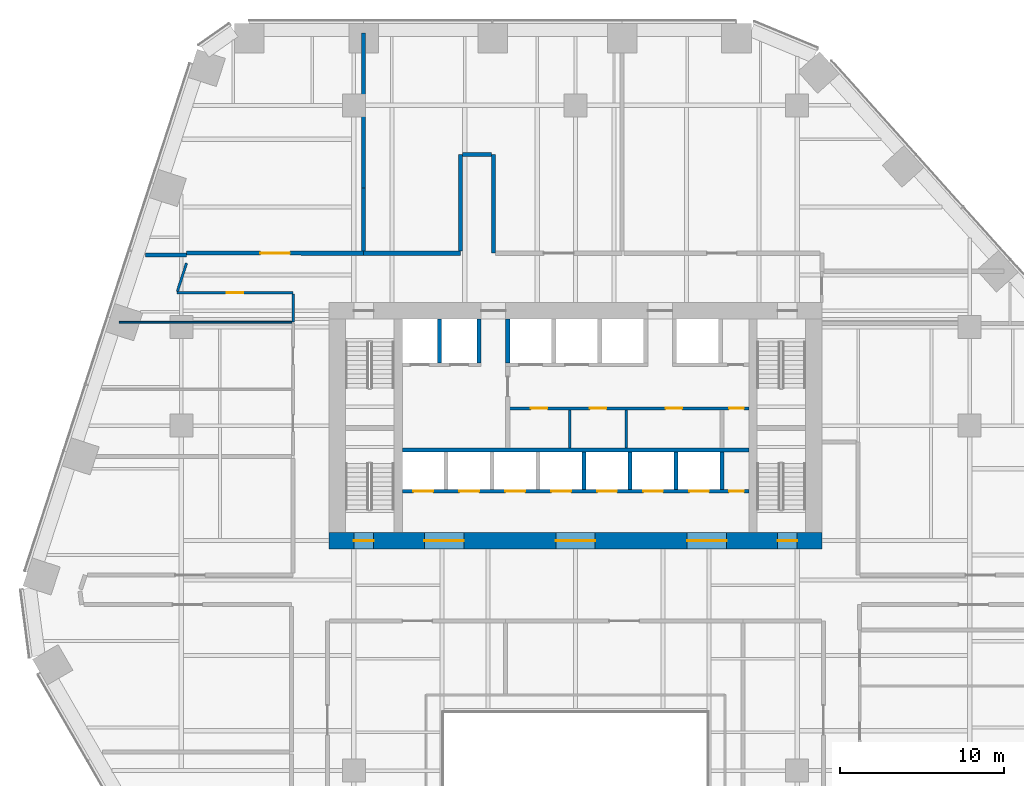
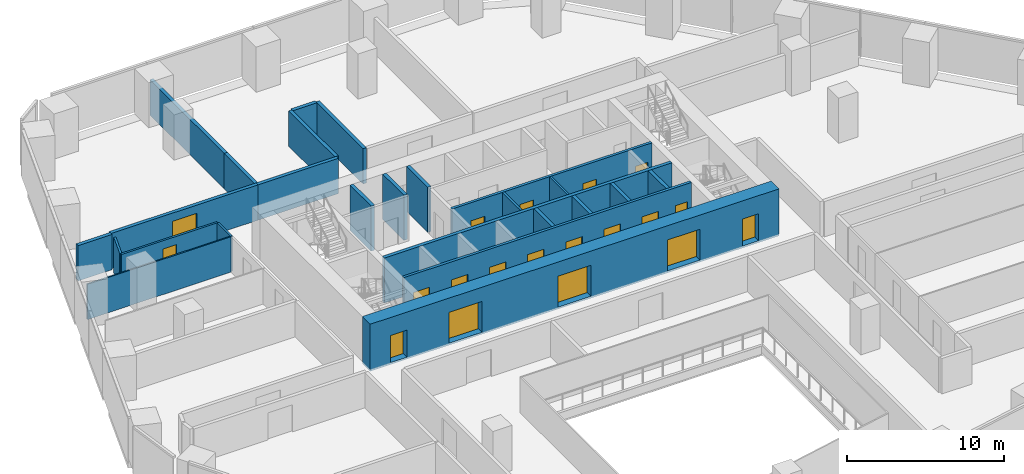
# One storey, part 15 of 20: 25 walls, 19 doors, 19 openings.
"""IFC4 building model written with IfcOpenShell, lengths in metres."""

from ifc_helpers import new_model, si_unit, direction, frame, frame_2d, origin, place, context, subcontext, project, spatial, rectangle, extrude, material, layer, layer_set, type_object, element, fill, save


model = new_model("IFC4")

# Units and contexts
model_context = context("Model", 3, precision=1e-05, world=origin(), true_north=direction((0.0, 1.0)))
body_context = subcontext(model_context, "Body", "Model", "MODEL_VIEW")
ifc_project = project(units=[si_unit("LENGTHUNIT", "METRE"), si_unit("AREAUNIT", "SQUARE_METRE"), si_unit("VOLUMEUNIT", "CUBIC_METRE"), si_unit("PLANEANGLEUNIT", "RADIAN"), si_unit("MASSUNIT", "GRAM", prefix="KILO")], contexts=[model_context])

# Site, building, storey
site_placement = place(None, origin())
site = spatial("IfcSite", under=ifc_project, at=site_placement, CompositionType="ELEMENT")
building_placement = place(site_placement, origin())
building = spatial("IfcBuilding", under=site, at=building_placement, Name="Isthmus Gate Tower", CompositionType="ELEMENT")
storey_placement = place(building_placement, frame((0.0, 0.0, 57.89990234375)))
storey = spatial("IfcBuildingStorey", under=building, at=storey_placement, Name="L12", CompositionType="ELEMENT", Elevation=57.89990234375)

# Wall
ifc_material_1 = material(Name="Double-leaf acoustic stud wall, fire-rated", Category="gypsum")
ifc_layer_1 = layer(ifc_material_1, 0.25)
ifc_layer_set_1 = layer_set([ifc_layer_1], Name="ACOUSTIC WALL 250 60 MIN")
wall_type_1 = type_object("IfcWallType", Name="ACOUSTIC WALL 250 60 MIN", PredefinedType="PARTITIONING", material=ifc_layer_set_1)
wall_1_placement = place(storey_placement, frame((-5.0, 24.0, 0.0), z_axis=(0.0, 0.0, 1.0), x_axis=(0.0, -1.0, 0.0)))
element("IfcWall", 1, at=wall_1_placement, inside=storey, type_object=wall_type_1, Name="L12 Acoustic Wall 250 60 Min", PredefinedType="PARTITIONING", context=body_context, shape_type="SweptSolid", body=[
    extrude(rectangle(XDim=6.0, YDim=0.25, at=frame_2d((3.0, 0.0))), origin(), (0.0, 0.0, 1.0), 2.7412109375),
])

# Wall, opening, door
wall_2_placement = place(storey_placement, frame((-23.68310546875, 18.001953125, 0.0), z_axis=(0.0, 0.0, 1.0), x_axis=(0.999999983581, -0.000181212763, 0.0)))
wall_2 = element("IfcWall", 2, at=wall_2_placement, inside=storey, type_object=wall_type_1, Name="L12 Acoustic Wall 250 60 Min", PredefinedType="PARTITIONING", context=body_context, shape_type="SweptSolid", body=[
    extrude(rectangle(XDim=10.778076171875, YDim=0.25, at=frame_2d((5.38916015625, 0.0))), origin(), (0.0, 0.0, 1.0), 2.7412109375),
])
opening_1_placement = place(wall_2_placement, frame((4.489013671875, 0.0, 0.0)))
opening_1 = element("IfcOpeningElement", 3, at=opening_1_placement, cuts=wall_2, Name="Opening DT-T1C-01", PredefinedType="OPENING", context=body_context, shape_type="SweptSolid", body=[
    extrude(rectangle(XDim=1.800048828125, YDim=2.10009765625, at=frame_2d((0.89990234375, 1.050048828125))), frame((0.0, 0.135009765625, 0.0), z_axis=(0.0, -1.0, 0.0), x_axis=(1.0, 0.0, 0.0)), (0.0, 0.0, 1.0), 0.27001953125),
])
ifc_material_2 = material(Name="Solid core timber door leaf, fire-rated", Category="wood")
door_type_1 = type_object("IfcDoorType", Name="FIRE DOOR ACOUSTIC ROOM 1800 X 2100 60 MIN", OperationType="DOUBLE_DOOR_DOUBLE_SWING", PredefinedType="DOOR", material=ifc_material_2)
door_1_placement = place(opening_1_placement, origin())
door_1 = element("IfcDoor", 4, at=door_1_placement, inside=storey, type_object=door_type_1, Name="L12 room door", OperationType="DOUBLE_DOOR_DOUBLE_SWING", OverallHeight=2.10009765625, OverallWidth=1.800048828125, PredefinedType="DOOR", context=body_context, shape_type="SweptSolid", body=[
    extrude(rectangle(XDim=1.800048828125, YDim=2.10009765625, at=frame_2d((0.89990234375, 1.050048828125))), frame((0.0, 0.02490234375, 0.0), z_axis=(0.0, -1.0, 0.0), x_axis=(1.0, 0.0, 0.0)), (0.0, 0.0, 1.0), 0.050048828125),
])
fill(opening_1, door_1)

# Walls
wall_3_placement = place(storey_placement, frame((-12.906982421875, 21.968017578125, 0.0), z_axis=(0.0, 0.0, 1.0), x_axis=(0.0, 1.0, 0.0)))
element("IfcWall", 5, at=wall_3_placement, inside=storey, type_object=wall_type_1, Name="L12 Acoustic Wall 250 60 Min", PredefinedType="PARTITIONING", context=body_context, shape_type="SweptSolid", body=[
    extrude(rectangle(XDim=9.431884765625, YDim=0.25, at=frame_2d((4.7158203125, 0.0))), origin(), (0.0, 0.0, 1.0), 2.7412109375),
])
wall_4_placement = place(storey_placement, frame((-26.169921875, 17.8828125, 0.0), z_axis=(0.0, 0.0, 1.0), x_axis=(0.999999763866, -0.000687217588, 0.0)))
element("IfcWall", 6, at=wall_4_placement, inside=storey, type_object=wall_type_1, Name="L12 Acoustic Wall 250 60 Min", PredefinedType="PARTITIONING", context=body_context, shape_type="SweptSolid", body=[
    extrude(rectangle(XDim=2.48681640625, YDim=0.25, at=frame_2d((1.243408203125, 0.0))), origin(), (0.0, 0.0, 1.0), 2.7412109375),
])
wall_5_placement = place(storey_placement, frame((-12.905029296875, 18.0, 0.0), z_axis=(0.0, 0.0, 1.0), x_axis=(1.0, 0.0, 0.0)))
element("IfcWall", 7, at=wall_5_placement, inside=storey, type_object=wall_type_1, Name="L12 Acoustic Wall 250 60 Min", PredefinedType="PARTITIONING", context=body_context, shape_type="SweptSolid", body=[
    extrude(rectangle(XDim=5.905029296875, YDim=0.25, at=frame_2d((2.95263671875, 0.0))), origin(), (0.0, 0.0, 1.0), 2.7412109375),
])
wall_6_placement = place(storey_placement, frame((-7.0, 18.125, 0.0), z_axis=(0.0, 0.0, 1.0), x_axis=(0.0, 1.0, 0.0)))
element("IfcWall", 8, at=wall_6_placement, inside=storey, type_object=wall_type_1, Name="L12 Acoustic Wall 250 60 Min", PredefinedType="PARTITIONING", context=body_context, shape_type="SweptSolid", body=[
    extrude(rectangle(XDim=5.875, YDim=0.25, at=frame_2d((2.9375, 0.0))), origin(), (0.0, 0.0, 1.0), 2.7412109375),
])
wall_7_placement = place(storey_placement, frame((-6.875, 24.0, 0.0), z_axis=(0.0, 0.0, 1.0), x_axis=(1.0, 0.0, 0.0)))
element("IfcWall", 9, at=wall_7_placement, inside=storey, type_object=wall_type_1, Name="L12 Acoustic Wall 250 60 Min", PredefinedType="PARTITIONING", context=body_context, shape_type="SweptSolid", body=[
    extrude(rectangle(XDim=1.75, YDim=0.25, at=frame_2d((0.875, 0.0))), origin(), (0.0, 0.0, 1.0), 2.7412109375),
])
wall_8_placement = place(storey_placement, frame((-12.906982421875, 21.968017578125, 0.0), z_axis=(0.0, 0.0, 1.0), x_axis=(0.000508226858, -0.999999870853, 0.0)))
element("IfcWall", 10, at=wall_8_placement, inside=storey, type_object=wall_type_1, Name="L12 Acoustic Wall 250 60 Min", PredefinedType="PARTITIONING", context=body_context, shape_type="SweptSolid", body=[
    extrude(rectangle(XDim=3.843017578125, YDim=0.25, at=frame_2d((1.92138671875, 0.0))), origin(), (0.0, 0.0, 1.0), 2.7412109375),
])

# Wall, opening, door
ifc_material_3 = material(Name="Gypsum board on steel studs, fire-rated", Category="steel")
ifc_layer_2 = layer(ifc_material_3, 0.14990234375)
ifc_layer_set_2 = layer_set([ifc_layer_2], Name="CORRIDOR WALL 150 60 MIN")
wall_type_2 = type_object("IfcWallType", Name="CORRIDOR WALL 150 60 MIN", PredefinedType="PARTITIONING", material=ifc_layer_set_2)
wall_9_placement = place(storey_placement, frame((-17.199951171875, 15.60009765625, 0.0), z_axis=(0.0, 0.0, 1.0), x_axis=(-1.0, 0.0, 0.0)))
wall_9 = element("IfcWall", 11, at=wall_9_placement, inside=storey, type_object=wall_type_2, Name="L12 Corridor Wall 150 60 Min", PredefinedType="PARTITIONING", context=body_context, shape_type="SweptSolid", body=[
    extrude(rectangle(XDim=7.068115234375, YDim=0.14990234375, at=frame_2d((3.5341796875, 0.0))), origin(), (0.0, 0.0, 1.0), 2.7412109375),
])
opening_2_placement = place(wall_9_placement, frame((3.033935546875, 0.0, 0.0)))
opening_2 = element("IfcOpeningElement", 12, at=opening_2_placement, cuts=wall_9, Name="Opening DT-T1C-04", PredefinedType="OPENING", context=body_context, shape_type="SweptSolid", body=[
    extrude(rectangle(XDim=1.0, YDim=2.10009765625, at=frame_2d((0.5, 1.050048828125))), frame((0.0, 0.0849609375, 0.0), z_axis=(0.0, -1.0, 0.0), x_axis=(1.0, 0.0, 0.0)), (0.0, 0.0, 1.0), 0.169921875),
])
ifc_material_4 = material(Name="Solid core timber door leaf, fire-rated", Category="wood")
door_type_2 = type_object("IfcDoorType", Name="FIRE DOOR ROOM 1000 X 2100 60 MIN", OperationType="SINGLE_SWING_LEFT", PredefinedType="DOOR", material=ifc_material_4)
door_2_placement = place(opening_2_placement, origin())
door_2 = element("IfcDoor", 13, at=door_2_placement, inside=storey, type_object=door_type_2, Name="L12 room door", OperationType="SINGLE_SWING_RIGHT", OverallHeight=2.10009765625, OverallWidth=1.0, PredefinedType="DOOR", context=body_context, shape_type="SweptSolid", body=[
    extrude(rectangle(XDim=1.0, YDim=2.10009765625, at=frame_2d((0.5, 1.050048828125))), frame((0.0, 0.02490234375, 0.0), z_axis=(0.0, -1.0, 0.0), x_axis=(1.0, 0.0, 0.0)), (0.0, 0.0, 1.0), 0.050048828125),
])
fill(opening_2, door_2)

# Walls
wall_10_placement = place(storey_placement, frame((-24.244873046875, 15.67138671875, 0.0), z_axis=(0.0, 0.0, 1.0), x_axis=(0.309086072338, 0.951034068731, 0.0)))
element("IfcWall", 14, at=wall_10_placement, inside=storey, type_object=wall_type_2, Name="L12 Corridor Wall 150 60 Min", PredefinedType="PARTITIONING", context=body_context, shape_type="SweptSolid", body=[
    extrude(rectangle(XDim=1.817626953125, YDim=0.14990234375, at=frame_2d((0.90869140625, 0.0))), origin(), (0.0, 0.0, 1.0), 2.7412109375),
])
wall_11_placement = place(storey_placement, frame((-17.199951171875, 13.799072265625, 0.0), z_axis=(0.0, 0.0, 1.0), x_axis=(0.0, 1.0, 0.0)))
element("IfcWall", 15, at=wall_11_placement, inside=storey, type_object=wall_type_2, Name="L12 Corridor Wall 150 60 Min", PredefinedType="PARTITIONING", context=body_context, shape_type="SweptSolid", body=[
    extrude(rectangle(XDim=1.725830078125, YDim=0.14990234375, at=frame_2d((0.86279296875, 0.0))), origin(), (0.0, 0.0, 1.0), 2.7412109375),
])

# Wall, openings, doors
ifc_material_5 = material(Name="Concrete f'c 70 MPa", Category="concrete")
ifc_layer_3 = layer(ifc_material_5, 1.0)
ifc_layer_set_3 = layer_set([ifc_layer_3], Name="RC CORE WALL 1000 F'C 70")
wall_type_3 = type_object("IfcWallType", Name="RC CORE WALL 1000 F'C 70", PredefinedType="SOLIDWALL", material=ifc_layer_set_3)
wall_12_placement = place(storey_placement, frame((-15.0, 0.5, -0.14990234375), z_axis=(0.0, 0.0, 1.0), x_axis=(1.0, 0.0, 0.0)))
wall_12 = element("IfcWall", 16, at=wall_12_placement, inside=storey, type_object=wall_type_3, Name="str-corewall-L12-S", PredefinedType="SOLIDWALL", context=body_context, shape_type="SweptSolid", body=[
    extrude(rectangle(XDim=30.0, YDim=1.0, at=frame_2d((15.0, 0.0))), origin(), (0.0, 0.0, 1.0), 3.64990234375),
])
opening_3_placement = place(wall_12_placement, frame((5.800048828125, 0.0, 0.14990234375)))
opening_3 = element("IfcOpeningElement", 17, at=opening_3_placement, cuts=wall_12, Name="Opening DC-A05-08", PredefinedType="OPENING", context=body_context, shape_type="SweptSolid", body=[
    extrude(rectangle(XDim=2.39990234375, YDim=2.39990234375, at=frame_2d((1.199951171875, 1.199951171875))), frame((0.0, 0.510009765625, 0.0), z_axis=(0.0, -1.0, 0.0), x_axis=(1.0, 0.0, 0.0)), (0.0, 0.0, 1.0), 1.02001953125),
])
opening_4_placement = place(wall_12_placement, frame((13.800048828125, 0.0, 0.14990234375)))
opening_4 = element("IfcOpeningElement", 18, at=opening_4_placement, cuts=wall_12, Name="Opening DC-A05-09", PredefinedType="OPENING", context=body_context, shape_type="SweptSolid", body=[
    extrude(rectangle(XDim=2.39990234375, YDim=2.39990234375, at=frame_2d((1.199951171875, 1.199951171875))), frame((0.0, 0.510009765625, 0.0), z_axis=(0.0, -1.0, 0.0), x_axis=(1.0, 0.0, 0.0)), (0.0, 0.0, 1.0), 1.02001953125),
])
opening_5_placement = place(wall_12_placement, frame((21.800048828125, 0.0, 0.14990234375)))
opening_5 = element("IfcOpeningElement", 19, at=opening_5_placement, cuts=wall_12, Name="Opening DC-A05-10", PredefinedType="OPENING", context=body_context, shape_type="SweptSolid", body=[
    extrude(rectangle(XDim=2.39990234375, YDim=2.39990234375, at=frame_2d((1.199951171875, 1.199951171875))), frame((0.0, 0.510009765625, 0.0), z_axis=(0.0, -1.0, 0.0), x_axis=(1.0, 0.0, 0.0)), (0.0, 0.0, 1.0), 1.02001953125),
])
opening_6_placement = place(wall_12_placement, frame((1.5, 0.0, 0.14990234375)))
opening_6 = element("IfcOpeningElement", 20, at=opening_6_placement, cuts=wall_12, Name="Opening DC-A05-15", PredefinedType="OPENING", context=body_context, shape_type="SweptSolid", body=[
    extrude(rectangle(XDim=1.199951171875, YDim=2.10009765625, at=frame_2d((0.60009765625, 1.050048828125))), frame((0.0, 0.510009765625, 0.0), z_axis=(0.0, -1.0, 0.0), x_axis=(1.0, 0.0, 0.0)), (0.0, 0.0, 1.0), 1.02001953125),
])
opening_7_placement = place(wall_12_placement, frame((27.300048828125, 0.0, 0.14990234375)))
opening_7 = element("IfcOpeningElement", 21, at=opening_7_placement, cuts=wall_12, Name="Opening DC-A05-16", PredefinedType="OPENING", context=body_context, shape_type="SweptSolid", body=[
    extrude(rectangle(XDim=1.199951171875, YDim=2.10009765625, at=frame_2d((0.60009765625, 1.050048828125))), frame((0.0, 0.510009765625, 0.0), z_axis=(0.0, -1.0, 0.0), x_axis=(1.0, 0.0, 0.0)), (0.0, 0.0, 1.0), 1.02001953125),
])
ifc_material_6 = material(Name="Laminated safety glass in steel frame, fire-rated", Category="steel")
door_type_3 = type_object("IfcDoorType", Name="LOBBY ENTRANCE FIRE DOOR 2400 X 2400 60 MIN", OperationType="DOUBLE_DOOR_DOUBLE_SWING", PredefinedType="DOOR", material=ifc_material_6)
door_3_placement = place(opening_3_placement, origin())
door_3 = element("IfcDoor", 22, at=door_3_placement, inside=storey, type_object=door_type_3, Name="Lobby Entrance PS-W", OperationType="DOUBLE_DOOR_DOUBLE_SWING", OverallHeight=2.39990234375, OverallWidth=2.39990234375, PredefinedType="DOOR", context=body_context, shape_type="SweptSolid", body=[
    extrude(rectangle(XDim=2.39990234375, YDim=2.39990234375, at=frame_2d((1.199951171875, 1.199951171875))), frame((0.0, 0.02490234375, 0.0), z_axis=(0.0, -1.0, 0.0), x_axis=(1.0, 0.0, 0.0)), (0.0, 0.0, 1.0), 0.050048828125),
])
fill(opening_3, door_3)
door_4_placement = place(opening_4_placement, origin())
door_4 = element("IfcDoor", 23, at=door_4_placement, inside=storey, type_object=door_type_3, Name="Lobby Entrance PS-C", OperationType="DOUBLE_DOOR_DOUBLE_SWING", OverallHeight=2.39990234375, OverallWidth=2.39990234375, PredefinedType="DOOR", context=body_context, shape_type="SweptSolid", body=[
    extrude(rectangle(XDim=2.39990234375, YDim=2.39990234375, at=frame_2d((1.199951171875, 1.199951171875))), frame((0.0, 0.02490234375, 0.0), z_axis=(0.0, -1.0, 0.0), x_axis=(1.0, 0.0, 0.0)), (0.0, 0.0, 1.0), 0.050048828125),
])
fill(opening_4, door_4)
door_5_placement = place(opening_5_placement, origin())
door_5 = element("IfcDoor", 24, at=door_5_placement, inside=storey, type_object=door_type_3, Name="Lobby Entrance PS-E", OperationType="DOUBLE_DOOR_DOUBLE_SWING", OverallHeight=2.39990234375, OverallWidth=2.39990234375, PredefinedType="DOOR", context=body_context, shape_type="SweptSolid", body=[
    extrude(rectangle(XDim=2.39990234375, YDim=2.39990234375, at=frame_2d((1.199951171875, 1.199951171875))), frame((0.0, 0.02490234375, 0.0), z_axis=(0.0, -1.0, 0.0), x_axis=(1.0, 0.0, 0.0)), (0.0, 0.0, 1.0), 0.050048828125),
])
fill(opening_5, door_5)
ifc_material_7 = material(Name="Steel door leaf, fire-rated", Category="steel")
door_type_4 = type_object("IfcDoorType", Name="STAIR FIRE DOOR 1200 X 2100 90 MIN", OperationType="SINGLE_SWING_LEFT", PredefinedType="DOOR", material=ifc_material_7)
door_6_placement = place(opening_6_placement, origin())
door_6 = element("IfcDoor", 25, at=door_6_placement, inside=storey, type_object=door_type_4, Name="Exit Stair 7 Door", OperationType="SINGLE_SWING_LEFT", OverallHeight=2.10009765625, OverallWidth=1.199951171875, PredefinedType="DOOR", context=body_context, shape_type="SweptSolid", body=[
    extrude(rectangle(XDim=1.199951171875, YDim=2.10009765625, at=frame_2d((0.60009765625, 1.050048828125))), frame((0.0, 0.02490234375, 0.0), z_axis=(0.0, -1.0, 0.0), x_axis=(1.0, 0.0, 0.0)), (0.0, 0.0, 1.0), 0.050048828125),
])
fill(opening_6, door_6)
door_7_placement = place(opening_7_placement, origin())
door_7 = element("IfcDoor", 26, at=door_7_placement, inside=storey, type_object=door_type_4, Name="Exit Stair 8 Door", OperationType="SINGLE_SWING_RIGHT", OverallHeight=2.10009765625, OverallWidth=1.199951171875, PredefinedType="DOOR", context=body_context, shape_type="SweptSolid", body=[
    extrude(rectangle(XDim=1.199951171875, YDim=2.10009765625, at=frame_2d((0.60009765625, 1.050048828125))), frame((0.0, 0.02490234375, 0.0), z_axis=(0.0, -1.0, 0.0), x_axis=(1.0, 0.0, 0.0)), (0.0, 0.0, 1.0), 0.050048828125),
])
fill(opening_7, door_7)

# Walls
ifc_material_8 = material(Name="Gypsum board on steel studs, fire-rated", Category="steel")
ifc_layer_4 = layer(ifc_material_8, 0.10009765625)
ifc_layer_set_4 = layer_set([ifc_layer_4], Name="ROOM PARTITION 100 30 MIN")
wall_type_4 = type_object("IfcWallType", Name="ROOM PARTITION 100 30 MIN", PredefinedType="PARTITIONING", material=ifc_layer_set_4)
wall_13_placement = place(storey_placement, frame((-27.797119140625, 13.799072265625, 0.0), z_axis=(0.0, 0.0, 1.0), x_axis=(1.0, 0.0, 0.0)))
element("IfcWall", 27, at=wall_13_placement, inside=storey, type_object=wall_type_4, Name="L12 Room Partition 100 30 Min", PredefinedType="PARTITIONING", context=body_context, shape_type="SweptSolid", body=[
    extrude(rectangle(XDim=10.522216796875, YDim=0.10009765625, at=frame_2d((5.26123046875, 0.0))), origin(), (0.0, 0.0, 1.0), 2.7412109375),
])
ifc_material_9 = material(Name="Gypsum board on steel studs, fire-rated", Category="steel")
ifc_layer_5 = layer(ifc_material_9, 0.14990234375)
ifc_layer_set_5 = layer_set([ifc_layer_5], Name="ROOM PARTITION 150 60 MIN")
wall_type_5 = type_object("IfcWallType", Name="ROOM PARTITION 150 60 MIN", PredefinedType="PARTITIONING", material=ifc_layer_set_5)
for number, where, z_axis, x_axis, name in (
    (28, (-0.35009765625, 6.14990234375, 0.0), (0.0, 0.0, 1.0), (0.0, 1.0, 0.0), "L12 ROOM PARTITION 150 60 MIN"),
    (29, (3.10009765625, 6.14990234375, 0.0), (0.0, 0.0, 1.0), (0.0, 1.0, 0.0), "L12 ROOM PARTITION 150 60 MIN"),
):
    element("IfcWall", number, at=place(storey_placement, frame(where, z_axis=z_axis, x_axis=x_axis)), inside=storey, type_object=wall_type_5, Name=name, PredefinedType="PARTITIONING", context=body_context, shape_type="SweptSolid", body=[
        extrude(rectangle(XDim=2.300048828125, YDim=0.14990234375, at=frame_2d((1.14990234375, 0.0))), origin(), (0.0, 0.0, 1.0), 3.5),
    ])

# Wall, openings, doors
ifc_material_10 = material(Name="Fire-rated blockwork masonry, 15 MPa", Category="masonry")
ifc_layer_6 = layer(ifc_material_10, 0.199951171875)
ifc_layer_set_6 = layer_set([ifc_layer_6], Name="SHAFT FRONT WALL 200 120 MIN")
wall_type_6 = type_object("IfcWallType", Name="SHAFT FRONT WALL 200 120 MIN", PredefinedType="PARTITIONING", material=ifc_layer_set_6)
wall_14_placement = place(storey_placement, frame((-10.550048828125, 3.5, 0.0), z_axis=(0.0, 0.0, 1.0), x_axis=(1.0, 0.0, 0.0)))
wall_14 = element("IfcWall", 30, at=wall_14_placement, inside=storey, type_object=wall_type_6, Name="L12 SHAFT FRONT WALL 200 120 MIN", PredefinedType="PARTITIONING", context=body_context, shape_type="SweptSolid", body=[
    extrude(rectangle(XDim=21.10009765625, YDim=0.199951171875, at=frame_2d((10.550048828125, 0.0))), origin(), (0.0, 0.0, 1.0), 3.5),
])
opening_8_placement = place(wall_14_placement, frame((0.675048828125, 0.0, 0.0)))
opening_8 = element("IfcOpeningElement", 31, at=opening_8_placement, cuts=wall_14, Name="Opening LD-LA1", PredefinedType="OPENING", context=body_context, shape_type="SweptSolid", body=[
    extrude(rectangle(XDim=1.199951171875, YDim=2.10009765625, at=frame_2d((0.60009765625, 1.050048828125))), frame((0.0, 0.10986328125, 0.0), z_axis=(0.0, -1.0, 0.0), x_axis=(1.0, 0.0, 0.0)), (0.0, 0.0, 1.0), 0.219970703125),
])
opening_9_placement = place(wall_14_placement, frame((3.47509765625, 0.0, 0.0)))
opening_9 = element("IfcOpeningElement", 32, at=opening_9_placement, cuts=wall_14, Name="Opening LD-LA2", PredefinedType="OPENING", context=body_context, shape_type="SweptSolid", body=[
    extrude(rectangle(XDim=1.199951171875, YDim=2.10009765625, at=frame_2d((0.60009765625, 1.050048828125))), frame((0.0, 0.10986328125, 0.0), z_axis=(0.0, -1.0, 0.0), x_axis=(1.0, 0.0, 0.0)), (0.0, 0.0, 1.0), 0.219970703125),
])
opening_10_placement = place(wall_14_placement, frame((6.27490234375, 0.0, 0.0)))
opening_10 = element("IfcOpeningElement", 33, at=opening_10_placement, cuts=wall_14, Name="Opening LD-LA3", PredefinedType="OPENING", context=body_context, shape_type="SweptSolid", body=[
    extrude(rectangle(XDim=1.199951171875, YDim=2.10009765625, at=frame_2d((0.60009765625, 1.050048828125))), frame((0.0, 0.10986328125, 0.0), z_axis=(0.0, -1.0, 0.0), x_axis=(1.0, 0.0, 0.0)), (0.0, 0.0, 1.0), 0.219970703125),
])
opening_11_placement = place(wall_14_placement, frame((9.074951171875, 0.0, 0.0)))
opening_11 = element("IfcOpeningElement", 34, at=opening_11_placement, cuts=wall_14, Name="Opening LD-LA4", PredefinedType="OPENING", context=body_context, shape_type="SweptSolid", body=[
    extrude(rectangle(XDim=1.199951171875, YDim=2.10009765625, at=frame_2d((0.60009765625, 1.050048828125))), frame((0.0, 0.10986328125, 0.0), z_axis=(0.0, -1.0, 0.0), x_axis=(1.0, 0.0, 0.0)), (0.0, 0.0, 1.0), 0.219970703125),
])
opening_12_placement = place(wall_14_placement, frame((11.875, 0.0, 0.0)))
opening_12 = element("IfcOpeningElement", 35, at=opening_12_placement, cuts=wall_14, Name="Opening LD-LA5", PredefinedType="OPENING", context=body_context, shape_type="SweptSolid", body=[
    extrude(rectangle(XDim=1.199951171875, YDim=2.10009765625, at=frame_2d((0.60009765625, 1.050048828125))), frame((0.0, 0.10986328125, 0.0), z_axis=(0.0, -1.0, 0.0), x_axis=(1.0, 0.0, 0.0)), (0.0, 0.0, 1.0), 0.219970703125),
])
opening_13_placement = place(wall_14_placement, frame((14.675048828125, 0.0, 0.0)))
opening_13 = element("IfcOpeningElement", 36, at=opening_13_placement, cuts=wall_14, Name="Opening LD-LA6", PredefinedType="OPENING", context=body_context, shape_type="SweptSolid", body=[
    extrude(rectangle(XDim=1.199951171875, YDim=2.10009765625, at=frame_2d((0.60009765625, 1.050048828125))), frame((0.0, 0.10986328125, 0.0), z_axis=(0.0, -1.0, 0.0), x_axis=(1.0, 0.0, 0.0)), (0.0, 0.0, 1.0), 0.219970703125),
])
opening_14_placement = place(wall_14_placement, frame((17.47509765625, 0.0, 0.0)))
opening_14 = element("IfcOpeningElement", 37, at=opening_14_placement, cuts=wall_14, Name="Opening LD-LA7", PredefinedType="OPENING", context=body_context, shape_type="SweptSolid", body=[
    extrude(rectangle(XDim=1.199951171875, YDim=2.10009765625, at=frame_2d((0.60009765625, 1.050048828125))), frame((0.0, 0.10986328125, 0.0), z_axis=(0.0, -1.0, 0.0), x_axis=(1.0, 0.0, 0.0)), (0.0, 0.0, 1.0), 0.219970703125),
])
opening_15_placement = place(wall_14_placement, frame((19.89990234375, 0.0, 0.0)))
opening_15 = element("IfcOpeningElement", 38, at=opening_15_placement, cuts=wall_14, Name="Opening DC-A05-02", PredefinedType="OPENING", context=body_context, shape_type="SweptSolid", body=[
    extrude(rectangle(XDim=0.89990234375, YDim=2.10009765625, at=frame_2d((0.449951171875, 1.050048828125))), frame((0.0, 0.10986328125, 0.0), z_axis=(0.0, -1.0, 0.0), x_axis=(1.0, 0.0, 0.0)), (0.0, 0.0, 1.0), 0.219970703125),
])
ifc_material_11 = material(Name="Stainless steel sliding leaf", Category="steel")
door_type_5 = type_object("IfcDoorType", Name="LIFT LANDING FIRE DOOR 1200 X 2100 90 MIN", OperationType="DOUBLE_DOOR_SLIDING", PredefinedType="DOOR", material=ifc_material_11)
door_8_placement = place(opening_8_placement, origin())
door_8 = element("IfcDoor", 39, at=door_8_placement, inside=storey, type_object=door_type_5, Name="Lift Landing Door LA1", OperationType="DOUBLE_DOOR_SLIDING", OverallHeight=2.10009765625, OverallWidth=1.199951171875, PredefinedType="DOOR", context=body_context, shape_type="SweptSolid", body=[
    extrude(rectangle(XDim=1.199951171875, YDim=2.10009765625, at=frame_2d((0.60009765625, 1.050048828125))), frame((0.0, 0.02490234375, 0.0), z_axis=(0.0, -1.0, 0.0), x_axis=(1.0, 0.0, 0.0)), (0.0, 0.0, 1.0), 0.050048828125),
])
fill(opening_8, door_8)
door_9_placement = place(opening_9_placement, origin())
door_9 = element("IfcDoor", 40, at=door_9_placement, inside=storey, type_object=door_type_5, Name="Lift Landing Door LA2", OperationType="DOUBLE_DOOR_SLIDING", OverallHeight=2.10009765625, OverallWidth=1.199951171875, PredefinedType="DOOR", context=body_context, shape_type="SweptSolid", body=[
    extrude(rectangle(XDim=1.199951171875, YDim=2.10009765625, at=frame_2d((0.60009765625, 1.050048828125))), frame((0.0, 0.02490234375, 0.0), z_axis=(0.0, -1.0, 0.0), x_axis=(1.0, 0.0, 0.0)), (0.0, 0.0, 1.0), 0.050048828125),
])
fill(opening_9, door_9)
door_10_placement = place(opening_10_placement, origin())
door_10 = element("IfcDoor", 41, at=door_10_placement, inside=storey, type_object=door_type_5, Name="Lift Landing Door LA3", OperationType="DOUBLE_DOOR_SLIDING", OverallHeight=2.10009765625, OverallWidth=1.199951171875, PredefinedType="DOOR", context=body_context, shape_type="SweptSolid", body=[
    extrude(rectangle(XDim=1.199951171875, YDim=2.10009765625, at=frame_2d((0.60009765625, 1.050048828125))), frame((0.0, 0.02490234375, 0.0), z_axis=(0.0, -1.0, 0.0), x_axis=(1.0, 0.0, 0.0)), (0.0, 0.0, 1.0), 0.050048828125),
])
fill(opening_10, door_10)
door_11_placement = place(opening_11_placement, origin())
door_11 = element("IfcDoor", 42, at=door_11_placement, inside=storey, type_object=door_type_5, Name="Lift Landing Door LA4", OperationType="DOUBLE_DOOR_SLIDING", OverallHeight=2.10009765625, OverallWidth=1.199951171875, PredefinedType="DOOR", context=body_context, shape_type="SweptSolid", body=[
    extrude(rectangle(XDim=1.199951171875, YDim=2.10009765625, at=frame_2d((0.60009765625, 1.050048828125))), frame((0.0, 0.02490234375, 0.0), z_axis=(0.0, -1.0, 0.0), x_axis=(1.0, 0.0, 0.0)), (0.0, 0.0, 1.0), 0.050048828125),
])
fill(opening_11, door_11)
door_12_placement = place(opening_12_placement, origin())
door_12 = element("IfcDoor", 43, at=door_12_placement, inside=storey, type_object=door_type_5, Name="Lift Landing Door LA5", OperationType="DOUBLE_DOOR_SLIDING", OverallHeight=2.10009765625, OverallWidth=1.199951171875, PredefinedType="DOOR", context=body_context, shape_type="SweptSolid", body=[
    extrude(rectangle(XDim=1.199951171875, YDim=2.10009765625, at=frame_2d((0.60009765625, 1.050048828125))), frame((0.0, 0.02490234375, 0.0), z_axis=(0.0, -1.0, 0.0), x_axis=(1.0, 0.0, 0.0)), (0.0, 0.0, 1.0), 0.050048828125),
])
fill(opening_12, door_12)
door_13_placement = place(opening_13_placement, origin())
door_13 = element("IfcDoor", 44, at=door_13_placement, inside=storey, type_object=door_type_5, Name="Lift Landing Door LA6", OperationType="DOUBLE_DOOR_SLIDING", OverallHeight=2.10009765625, OverallWidth=1.199951171875, PredefinedType="DOOR", context=body_context, shape_type="SweptSolid", body=[
    extrude(rectangle(XDim=1.199951171875, YDim=2.10009765625, at=frame_2d((0.60009765625, 1.050048828125))), frame((0.0, 0.02490234375, 0.0), z_axis=(0.0, -1.0, 0.0), x_axis=(1.0, 0.0, 0.0)), (0.0, 0.0, 1.0), 0.050048828125),
])
fill(opening_13, door_13)
door_14_placement = place(opening_14_placement, origin())
door_14 = element("IfcDoor", 45, at=door_14_placement, inside=storey, type_object=door_type_5, Name="Lift Landing Door LA7", OperationType="DOUBLE_DOOR_SLIDING", OverallHeight=2.10009765625, OverallWidth=1.199951171875, PredefinedType="DOOR", context=body_context, shape_type="SweptSolid", body=[
    extrude(rectangle(XDim=1.199951171875, YDim=2.10009765625, at=frame_2d((0.60009765625, 1.050048828125))), frame((0.0, 0.02490234375, 0.0), z_axis=(0.0, -1.0, 0.0), x_axis=(1.0, 0.0, 0.0)), (0.0, 0.0, 1.0), 0.050048828125),
])
fill(opening_14, door_14)
ifc_material_12 = material(Name="Steel door leaf, fire-rated", Category="steel")
door_type_6 = type_object("IfcDoorType", Name="RISER FIRE DOOR 900 X 2100 90 MIN", OperationType="SINGLE_SWING_LEFT", PredefinedType="DOOR", material=ifc_material_12)
door_15_placement = place(opening_15_placement, origin())
door_15 = element("IfcDoor", 46, at=door_15_placement, inside=storey, type_object=door_type_6, Name="Riser Door", OperationType="SINGLE_SWING_RIGHT", OverallHeight=2.10009765625, OverallWidth=0.89990234375, PredefinedType="DOOR", context=body_context, shape_type="SweptSolid", body=[
    extrude(rectangle(XDim=0.89990234375, YDim=2.10009765625, at=frame_2d((0.449951171875, 1.050048828125))), frame((0.0, 0.02490234375, 0.0), z_axis=(0.0, -1.0, 0.0), x_axis=(1.0, 0.0, 0.0)), (0.0, 0.0, 1.0), 0.050048828125),
])
fill(opening_15, door_15)

wall_15_placement = place(storey_placement, frame((-4.125, 8.550048828125, 0.0), z_axis=(0.0, 0.0, 1.0), x_axis=(1.0, 0.0, 0.0)))
wall_15 = element("IfcWall", 47, at=wall_15_placement, inside=storey, type_object=wall_type_6, Name="L12 SHAFT FRONT WALL 200 120 MIN", PredefinedType="PARTITIONING", context=body_context, shape_type="SweptSolid", body=[
    extrude(rectangle(XDim=14.675048828125, YDim=0.199951171875, at=frame_2d((7.33740234375, 0.0))), origin(), (0.0, 0.0, 1.0), 3.5),
])
opening_16_placement = place(wall_15_placement, frame((1.41259765625, 0.0, 0.0)))
opening_16 = element("IfcOpeningElement", 48, at=opening_16_placement, cuts=wall_15, Name="Opening DC-A05-03", PredefinedType="OPENING", context=body_context, shape_type="SweptSolid", body=[
    extrude(rectangle(XDim=1.0, YDim=2.10009765625, at=frame_2d((0.5, 1.050048828125))), frame((0.0, 0.10986328125, 0.0), z_axis=(0.0, -1.0, 0.0), x_axis=(1.0, 0.0, 0.0)), (0.0, 0.0, 1.0), 0.219970703125),
])
opening_17_placement = place(wall_15_placement, frame((5.0, 0.0, 0.0)))
opening_17 = element("IfcOpeningElement", 49, at=opening_17_placement, cuts=wall_15, Name="Opening DC-A05-04", PredefinedType="OPENING", context=body_context, shape_type="SweptSolid", body=[
    extrude(rectangle(XDim=1.0, YDim=2.10009765625, at=frame_2d((0.5, 1.050048828125))), frame((0.0, 0.10986328125, 0.0), z_axis=(0.0, -1.0, 0.0), x_axis=(1.0, 0.0, 0.0)), (0.0, 0.0, 1.0), 0.219970703125),
])
opening_18_placement = place(wall_15_placement, frame((9.612548828125, 0.0, 0.0)))
opening_18 = element("IfcOpeningElement", 50, at=opening_18_placement, cuts=wall_15, Name="Opening DC-A05-05", PredefinedType="OPENING", context=body_context, shape_type="SweptSolid", body=[
    extrude(rectangle(XDim=1.0, YDim=2.10009765625, at=frame_2d((0.5, 1.050048828125))), frame((0.0, 0.10986328125, 0.0), z_axis=(0.0, -1.0, 0.0), x_axis=(1.0, 0.0, 0.0)), (0.0, 0.0, 1.0), 0.219970703125),
])
opening_19_placement = place(wall_15_placement, frame((13.47509765625, 0.0, 0.0)))
opening_19 = element("IfcOpeningElement", 51, at=opening_19_placement, cuts=wall_15, Name="Opening DC-A05-06", PredefinedType="OPENING", context=body_context, shape_type="SweptSolid", body=[
    extrude(rectangle(XDim=0.89990234375, YDim=2.10009765625, at=frame_2d((0.449951171875, 1.050048828125))), frame((0.0, 0.10986328125, 0.0), z_axis=(0.0, -1.0, 0.0), x_axis=(1.0, 0.0, 0.0)), (0.0, 0.0, 1.0), 0.219970703125),
])
ifc_material_13 = material(Name="Steel door leaf, fire-rated", Category="steel")
door_type_7 = type_object("IfcDoorType", Name="FIRE DOOR 1000 X 2100 60 MIN", OperationType="SINGLE_SWING_LEFT", PredefinedType="DOOR", material=ifc_material_13)
door_16_placement = place(opening_16_placement, origin())
door_16 = element("IfcDoor", 52, at=door_16_placement, inside=storey, type_object=door_type_7, Name="WC Women Door", OperationType="SINGLE_SWING_LEFT", OverallHeight=2.10009765625, OverallWidth=1.0, PredefinedType="DOOR", context=body_context, shape_type="SweptSolid", body=[
    extrude(rectangle(XDim=1.0, YDim=2.10009765625, at=frame_2d((0.5, 1.050048828125))), frame((0.0, 0.02490234375, 0.0), z_axis=(0.0, -1.0, 0.0), x_axis=(1.0, 0.0, 0.0)), (0.0, 0.0, 1.0), 0.050048828125),
])
fill(opening_16, door_16)
door_17_placement = place(opening_17_placement, origin())
door_17 = element("IfcDoor", 53, at=door_17_placement, inside=storey, type_object=door_type_7, Name="WC Men Door", OperationType="SINGLE_SWING_RIGHT", OverallHeight=2.10009765625, OverallWidth=1.0, PredefinedType="DOOR", context=body_context, shape_type="SweptSolid", body=[
    extrude(rectangle(XDim=1.0, YDim=2.10009765625, at=frame_2d((0.5, 1.050048828125))), frame((0.0, 0.02490234375, 0.0), z_axis=(0.0, -1.0, 0.0), x_axis=(1.0, 0.0, 0.0)), (0.0, 0.0, 1.0), 0.050048828125),
])
fill(opening_17, door_17)
door_18_placement = place(opening_18_placement, origin())
door_18 = element("IfcDoor", 54, at=door_18_placement, inside=storey, type_object=door_type_7, Name="Accessible WC Door", OperationType="SINGLE_SWING_LEFT", OverallHeight=2.10009765625, OverallWidth=1.0, PredefinedType="DOOR", context=body_context, shape_type="SweptSolid", body=[
    extrude(rectangle(XDim=1.0, YDim=2.10009765625, at=frame_2d((0.5, 1.050048828125))), frame((0.0, 0.02490234375, 0.0), z_axis=(0.0, -1.0, 0.0), x_axis=(1.0, 0.0, 0.0)), (0.0, 0.0, 1.0), 0.050048828125),
])
fill(opening_18, door_18)
door_19_placement = place(opening_19_placement, origin())
door_19 = element("IfcDoor", 55, at=door_19_placement, inside=storey, type_object=door_type_6, Name="Riser Door", OperationType="SINGLE_SWING_RIGHT", OverallHeight=2.10009765625, OverallWidth=0.89990234375, PredefinedType="DOOR", context=body_context, shape_type="SweptSolid", body=[
    extrude(rectangle(XDim=0.89990234375, YDim=2.10009765625, at=frame_2d((0.449951171875, 1.050048828125))), frame((0.0, 0.02490234375, 0.0), z_axis=(0.0, -1.0, 0.0), x_axis=(1.0, 0.0, 0.0)), (0.0, 0.0, 1.0), 0.050048828125),
])
fill(opening_19, door_19)

# Walls
ifc_material_14 = material(Name="Fire-rated blockwork masonry, 15 MPa", Category="masonry")
ifc_layer_7 = layer(ifc_material_14, 0.25)
ifc_layer_set_7 = layer_set([ifc_layer_7], Name="SHAFT WALL 250 120 MIN")
wall_type_7 = type_object("IfcWallType", Name="SHAFT WALL 250 120 MIN", PredefinedType="PARTITIONING", material=ifc_layer_set_7)
wall_16_placement = place(storey_placement, frame((-10.550048828125, 6.02490234375, 0.0), z_axis=(0.0, 0.0, 1.0), x_axis=(1.0, 0.0, 0.0)))
element("IfcWall", 56, at=wall_16_placement, inside=storey, type_object=wall_type_7, Name="L12 SHAFT WALL 250 120 MIN", PredefinedType="PARTITIONING", context=body_context, shape_type="SweptSolid", body=[
    extrude(rectangle(XDim=21.10009765625, YDim=0.25, at=frame_2d((10.550048828125, 0.0))), origin(), (0.0, 0.0, 1.0), 3.5),
])
for number, where, z_axis, x_axis, name in (
    (57, (0.52490234375, 3.60009765625, 0.0), (0.0, 0.0, 1.0), (0.0, 1.0, 0.0), "L12 SHAFT WALL 250 120 MIN"),
    (58, (3.324951171875, 3.60009765625, 0.0), (0.0, 0.0, 1.0), (0.0, 1.0, 0.0), "L12 SHAFT WALL 250 120 MIN"),
    (59, (6.125, 3.60009765625, 0.0), (0.0, 0.0, 1.0), (0.0, 1.0, 0.0), "L12 SHAFT WALL 250 120 MIN"),
    (60, (8.925048828125, 3.60009765625, 0.0), (0.0, 0.0, 1.0), (0.0, 1.0, 0.0), "L12 SHAFT WALL 250 120 MIN"),
):
    element("IfcWall", number, at=place(storey_placement, frame(where, z_axis=z_axis, x_axis=x_axis)), inside=storey, type_object=wall_type_7, Name=name, PredefinedType="PARTITIONING", context=body_context, shape_type="SweptSolid", body=[
        extrude(rectangle(XDim=2.2998046875, YDim=0.25, at=frame_2d((1.14990234375, 0.0))), origin(), (0.0, 0.0, 1.0), 3.5),
    ])
for number, where, z_axis, x_axis, name in (
    (61, (-8.27490234375, 11.300048828125, 0.0), (0.0, 0.0, 1.0), (0.0, 1.0, 0.0), "L12 SHAFT WALL 250 120 MIN"),
    (62, (-5.875, 11.300048828125, 0.0), (0.0, 0.0, 1.0), (0.0, 1.0, 0.0), "L12 SHAFT WALL 250 120 MIN"),
    (63, (-4.125, 11.300048828125, 0.0), (0.0, 0.0, 1.0), (0.0, 1.0, 0.0), "L12 SHAFT WALL 250 120 MIN"),
):
    element("IfcWall", number, at=place(storey_placement, frame(where, z_axis=z_axis, x_axis=x_axis)), inside=storey, type_object=wall_type_7, Name=name, PredefinedType="PARTITIONING", context=body_context, shape_type="SweptSolid", body=[
        extrude(rectangle(XDim=2.699951171875, YDim=0.25, at=frame_2d((1.35009765625, 0.0))), origin(), (0.0, 0.0, 1.0), 3.5),
    ])

save(model, "model.ifc")
